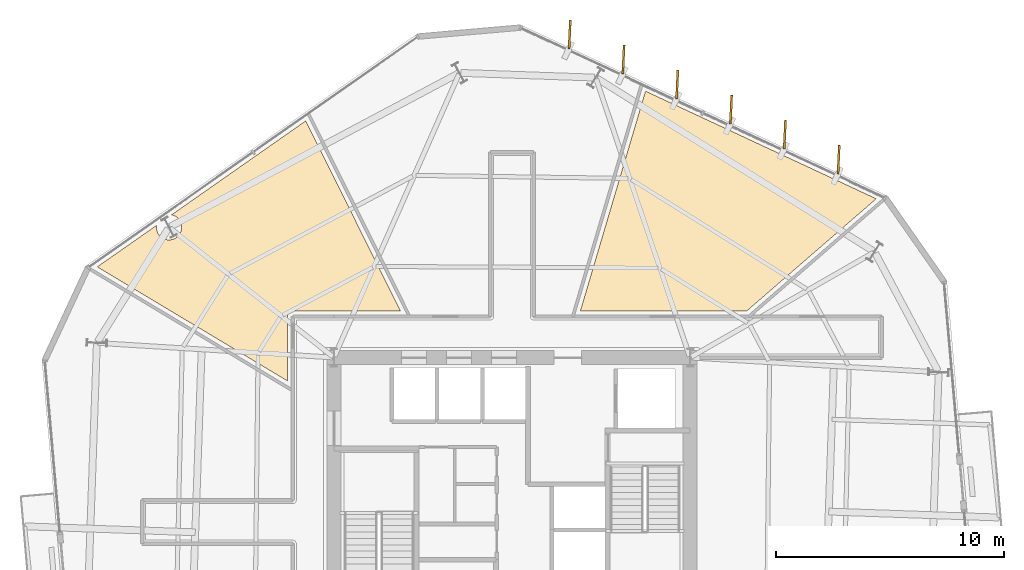
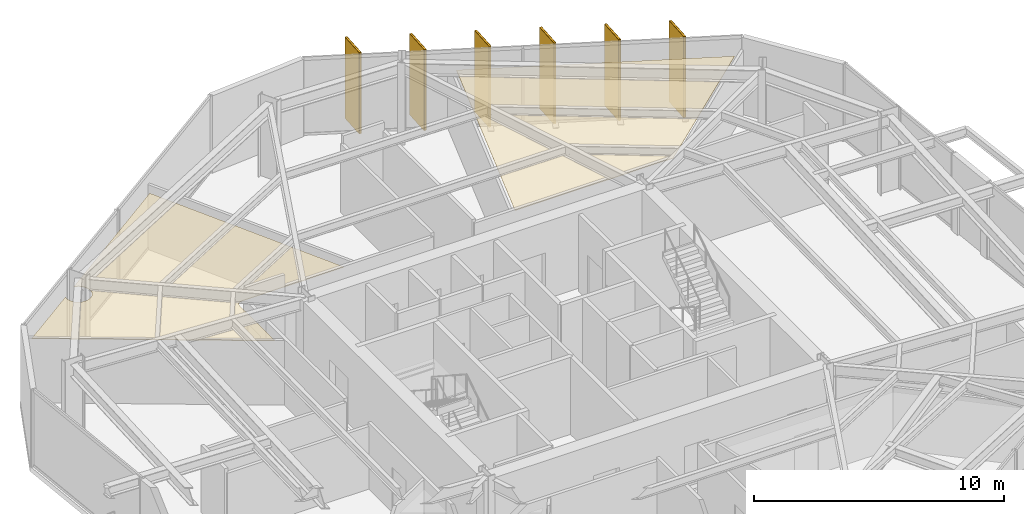
# One storey, part 13 of 13: 8 coverings, 6 shading devices.
"""IFC4 building model written with IfcOpenShell, lengths in metres."""

from ifc_helpers import new_model, si_unit, direction, frame, origin, origin_2d, place, context, subcontext, project, spatial, polyline, rectangle, outline, extrude, material, layer, layer_set, type_object, element, save


model = new_model("IFC4")

# Units and contexts
model_context = context("Model", 3, precision=1e-05, world=origin(), true_north=direction((0.0, 1.0)))
body_context = subcontext(model_context, "Body", "Model", "MODEL_VIEW")
ifc_project = project(units=[si_unit("LENGTHUNIT", "METRE"), si_unit("AREAUNIT", "SQUARE_METRE"), si_unit("VOLUMEUNIT", "CUBIC_METRE"), si_unit("PLANEANGLEUNIT", "RADIAN"), si_unit("MASSUNIT", "GRAM", prefix="KILO")], contexts=[model_context])

# Site, building, storey
site_placement = place(None, origin())
site = spatial("IfcSite", under=ifc_project, at=site_placement, CompositionType="ELEMENT")
building_placement = place(site_placement, origin())
building = spatial("IfcBuilding", under=site, at=building_placement, Name="Kranzbogen Civic Tower", CompositionType="ELEMENT")
storey_placement = place(building_placement, frame((0.0, 0.0, 162.39990234375)))
storey = spatial("IfcBuildingStorey", under=building, at=storey_placement, Name="L39", CompositionType="ELEMENT", Elevation=162.39990234375)

# Coverings
ifc_material_1 = material(Name="Pale Anodised Aluminium", Category="aluminium")
ifc_layer_1 = layer(ifc_material_1, 0.02490234375, Name="Pale Anodised Aluminium")
ifc_layer_set_1 = layer_set([ifc_layer_1], Name="Pale Anodised Aluminium")
covering_type_1 = type_object("IfcCoveringType", Name="Anodised Aluminium Vertical Fin Cladding 25 mm", PredefinedType="CLADDING", material=ifc_layer_set_1)
for number, where, z_axis, x_axis, name in (
    (1, (39.30908203125, 40.867919921875, -0.139892578125), (0.0, 0.0, 1.0), (0.046130129003, 0.998935438954, 0.0), "L39 vertical fin pale-metal cladding F1-1"),
    (2, (36.951904296875, 41.966064453125, -0.139892578125), (0.0, 0.0, 1.0), (0.046130129003, 0.998935438954, 0.0), "L39 vertical fin pale-metal cladding F1-2"),
    (3, (34.595947265625, 43.06494140625, -0.139892578125), (0.0, 0.0, 1.0), (0.046130129003, 0.998935438954, 0.0), "L39 vertical fin pale-metal cladding F1-3"),
    (4, (32.239013671875, 44.1640625, -0.139892578125), (0.0, 0.0, 1.0), (0.046130129003, 0.998935438954, 0.0), "L39 vertical fin pale-metal cladding F1-4"),
    (5, (29.883056640625, 45.262939453125, -0.139892578125), (0.0, 0.0, 1.0), (0.046130129003, 0.998935438954, 0.0), "L39 vertical fin pale-metal cladding F1-5"),
    (6, (27.527099609375, 46.362060546875, -0.139892578125), (0.0, 0.0, 1.0), (0.046130129003, 0.998935438954, 0.0), "L39 vertical fin pale-metal cladding F1-6"),
):
    element("IfcCovering", number, at=place(storey_placement, frame(where, z_axis=z_axis, x_axis=x_axis)), inside=storey, type_object=covering_type_1, Name=name, PredefinedType="CLADDING", context=body_context, shape_type="SweptSolid", body=[
        extrude(rectangle(XDim=1.25, YDim=0.10009765625, at=origin_2d()), origin(), (0.0, 0.0, 1.0), 3.9599609375),
    ])

# Shading devices
ifc_material_2 = material(Name="Anodised Bronze Aluminium", Category="aluminium")
shading_device_type = type_object("IfcShadingDeviceType", Name="Anodised Bronze Vertical Facade Fin 1250x80", PredefinedType="USERDEFINED", material=ifc_material_2)
for number, where, z_axis, x_axis, name in (
    (7, (39.30908203125, 40.867919921875, -0.139892578125), (0.0, 0.0, 1.0), (0.046130129003, 0.998935438954, 0.0), "L39 vertical exterior shading fin F1-1"),
    (8, (36.951904296875, 41.966064453125, -0.139892578125), (0.0, 0.0, 1.0), (0.046130129003, 0.998935438954, 0.0), "L39 vertical exterior shading fin F1-2"),
    (9, (34.595947265625, 43.06494140625, -0.139892578125), (0.0, 0.0, 1.0), (0.046130129003, 0.998935438954, 0.0), "L39 vertical exterior shading fin F1-3"),
    (10, (32.239013671875, 44.1640625, -0.139892578125), (0.0, 0.0, 1.0), (0.046130129003, 0.998935438954, 0.0), "L39 vertical exterior shading fin F1-4"),
    (11, (29.883056640625, 45.262939453125, -0.139892578125), (0.0, 0.0, 1.0), (0.046130129003, 0.998935438954, 0.0), "L39 vertical exterior shading fin F1-5"),
    (12, (27.527099609375, 46.362060546875, -0.139892578125), (0.0, 0.0, 1.0), (0.046130129003, 0.998935438954, 0.0), "L39 vertical exterior shading fin F1-6"),
):
    element("IfcShadingDevice", number, at=place(storey_placement, frame(where, z_axis=z_axis, x_axis=x_axis)), inside=storey, type_object=shading_device_type, Name=name, ObjectType="FIN", PredefinedType="USERDEFINED", context=body_context, shape_type="SweptSolid", body=[
        extrude(rectangle(XDim=1.25, YDim=0.080078125, at=origin_2d()), origin(), (0.0, 0.0, 1.0), 3.9599609375),
    ])

# Coverings
ifc_material_3 = material(Name="Perforated Acoustic Gypsum Ceiling")
ifc_layer_2 = layer(ifc_material_3, 0.02490234375, Name="Perforated Acoustic Gypsum Ceiling")
ifc_layer_set_2 = layer_set([ifc_layer_2], Name="Perforated Acoustic Gypsum Ceiling")
covering_type_2 = type_object("IfcCoveringType", Name="Perforated Acoustic Mineral Ceiling Tile 25 mm", PredefinedType="CEILING", material=ifc_layer_set_2)
covering_1_placement = place(storey_placement, frame((0.0, 0.0, 2.900146484375)))
element("IfcCovering", 13, at=covering_1_placement, inside=storey, type_object=covering_type_2, Name="L39 Municipal Exhibition Showroom acoustic ceiling", PredefinedType="CEILING", context=body_context, shape_type="SweptSolid", body=[
    extrude(outline(polyline([(35.2890625, 34.2451171875), (27.99609375, 34.2451171875), (30.85009765625, 43.87109375), (40.9560546875, 39.157958984375), (35.2890625, 34.2451171875)])), origin(), (0.0, 0.0, 1.0), 0.02490234375),
])
covering_2_placement = place(storey_placement, frame((0.0, 0.0, 2.900146484375)))
element("IfcCovering", 14, at=covering_2_placement, inside=storey, type_object=covering_type_2, Name="L39 Civic Reference Library acoustic ceiling", PredefinedType="CEILING", context=body_context, shape_type="SweptSolid", body=[
    extrude(outline(polyline([(20.114013671875, 34.2451171875), (15.39990234375, 34.2451171875), (15.39111328125, 34.2451171875), (15.385009765625, 34.243896484375), (15.366943359375, 34.242919921875), (15.361083984375, 34.241943359375), (15.343994140625, 34.238037109375), (15.3369140625, 34.237060546875), (15.320068359375, 34.23193359375), (15.31396484375, 34.22998046875), (15.298095703125, 34.222900390625), (15.2919921875, 34.219970703125), (15.277099609375, 34.2119140625), (15.27099609375, 34.2080078125), (15.257080078125, 34.198974609375), (15.251953125, 34.195068359375), (15.238037109375, 34.18408203125), (15.23291015625, 34.178955078125), (15.220947265625, 34.1669921875), (15.216064453125, 34.162109375), (15.205078125, 34.14794921875), (15.200927734375, 34.14306640625), (15.19189453125, 34.12890625), (15.18798828125, 34.123046875), (15.179931640625, 34.10791015625), (15.177001953125, 34.10205078125), (15.169921875, 34.0859375), (15.16796875, 34.080078125), (15.1630859375, 34.06298828125), (15.162109375, 34.055908203125), (15.157958984375, 34.0390625), (15.156982421875, 34.032958984375), (15.156005859375, 34.014892578125), (15.155029296875, 34.009033203125), (15.155029296875, 34.0), (15.155029296875, 31.18408203125), (6.827880859375, 36.172119140625), (9.429931640625, 37.993896484375), (9.425048828125, 37.9619140625), (9.423095703125, 37.907958984375), (9.425048828125, 37.85400390625), (9.43310546875, 37.800048828125), (9.447021484375, 37.7470703125), (9.465087890625, 37.696044921875), (9.488037109375, 37.64697265625), (9.51611328125, 37.60009765625), (9.548095703125, 37.555908203125), (9.5849609375, 37.51611328125), (9.625, 37.47900390625), (9.6689453125, 37.447021484375), (9.716064453125, 37.4189453125), (9.764892578125, 37.39599609375), (9.81591796875, 37.3779296875), (9.868896484375, 37.364013671875), (9.923095703125, 37.35595703125), (9.97705078125, 37.35400390625), (10.031005859375, 37.35595703125), (10.0849609375, 37.364013671875), (10.137939453125, 37.3779296875), (10.18896484375, 37.39599609375), (10.238037109375, 37.4189453125), (10.284912109375, 37.447021484375), (10.3291015625, 37.47900390625), (10.368896484375, 37.51611328125), (10.406005859375, 37.555908203125), (10.43798828125, 37.60009765625), (10.466064453125, 37.64697265625), (10.489013671875, 37.696044921875), (10.507080078125, 37.7470703125), (10.52099609375, 37.800048828125), (10.529052734375, 37.85400390625), (10.531005859375, 37.907958984375), (10.529052734375, 37.9619140625), (10.52099609375, 38.01611328125), (10.507080078125, 38.069091796875), (10.489013671875, 38.1201171875), (10.466064453125, 38.1689453125), (10.43798828125, 38.216064453125), (10.406005859375, 38.260009765625), (10.368896484375, 38.300048828125), (10.3291015625, 38.3369140625), (10.284912109375, 38.368896484375), (10.238037109375, 38.39697265625), (10.18896484375, 38.419921875), (10.137939453125, 38.43798828125), (10.0849609375, 38.451904296875), (10.083984375, 38.451904296875), (15.9619140625, 42.568115234375), (20.114013671875, 34.2451171875)])), origin(), (0.0, 0.0, 1.0), 0.02490234375),
])

save(model, "model.ifc")
